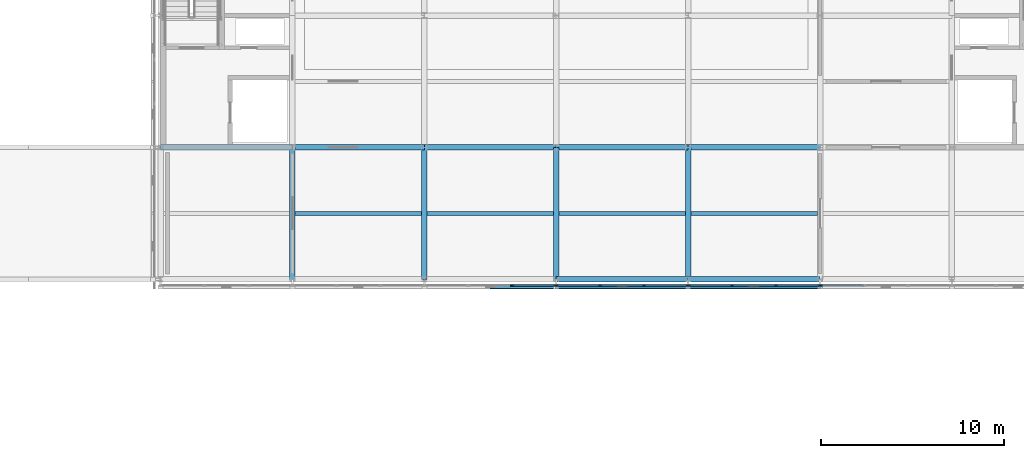
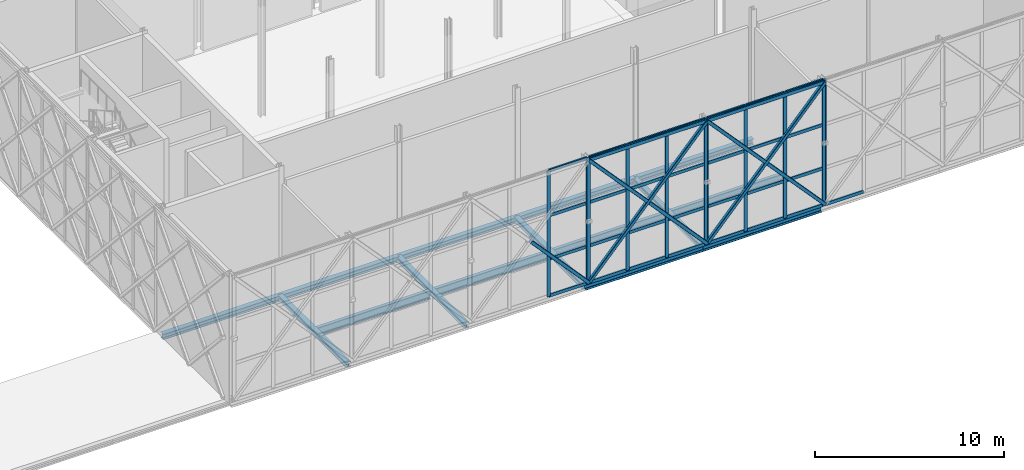
# One storey, part 44 of 76: 49 members, 15 beams, 4 elements without a shape of their own.
"""IFC4 building model written with IfcOpenShell, lengths in metres."""

import ifcopenshell
import ifcopenshell.guid

model = None  # the IFC model being written
_history = None  # IfcOwnerHistory: only IFC2X3 demands one
_inside = {}  # id of a spatial element -> (the spatial element, [elements in it])
_under = {}  # id of a project, library or spatial element -> (it, [spatial elements below it])
_declared = {}  # id of a project -> (the project, [libraries it declares])
_typed = {}  # id of a type object -> (the type object, [elements of that type])
_made_of = {}  # id of a material, layer set ... -> (it, [elements and type objects made of it])


def new_model(schema):
    """Start an empty IFC model of exactly this schema.

    Asked for "IFC4X3", IfcOpenShell would pick the latest addendum, in which some entities
    have other attributes; the version numbers below select the first issue.
    IFC2X3 requires an IfcOwnerHistory on every rooted entity: one is made here for all.
    """
    global model, _history
    if schema == "IFC4X3":
        model = ifcopenshell.file(schema_version=(4, 3, 0, 0))
    else:
        model = ifcopenshell.file(schema=schema)
    _inside.clear()
    _under.clear()
    _declared.clear()
    _typed.clear()
    _made_of.clear()
    _history = None
    if model.schema == "IFC2X3":
        org = make("IfcOrganization", Name="unknown")
        user = make(
            "IfcPersonAndOrganization",
            ThePerson=make("IfcPerson", FamilyName="unknown"),
            TheOrganization=org,
        )
        app = make(
            "IfcApplication",
            ApplicationDeveloper=org,
            Version="unknown",
            ApplicationFullName="unknown",
            ApplicationIdentifier="unknown",
        )
        _history = make(
            "IfcOwnerHistory",
            OwningUser=user,
            OwningApplication=app,
            ChangeAction="ADDED",
            CreationDate=0,
        )
    return model


def make(cls, **values):
    """One entity of the class cls with the attributes given. An attribute that is None is left unset."""
    return model.create_entity(
        cls, **{name: value for name, value in values.items() if value is not None}
    )


def rooted(cls, **values):
    """An entity with a GlobalId (a new one), such as an element, a storey or a relation."""
    return make(cls, GlobalId=ifcopenshell.guid.new(), OwnerHistory=_history, **values)


def si_unit(unit_type, name, prefix=None):
    """IfcSIUnit, for example si_unit("LENGTHUNIT", "METRE", prefix="MILLI")."""
    return make("IfcSIUnit", UnitType=unit_type, Prefix=prefix, Name=name)


def assignment(units):
    """IfcUnitAssignment: the units of a project."""
    return None if units is None else make("IfcUnitAssignment", Units=units)


def point(xyz):
    """IfcCartesianPoint."""
    return None if xyz is None else make("IfcCartesianPoint", Coordinates=xyz)


def direction(xyz):
    """IfcDirection."""
    return None if xyz is None else make("IfcDirection", DirectionRatios=xyz)


def frame(location, z_axis=None, x_axis=None):
    """IfcAxis2Placement3D, a coordinate frame: its origin and axes. An axis left out is left unset."""
    return make(
        "IfcAxis2Placement3D",
        Location=point(location),
        Axis=direction(z_axis),
        RefDirection=direction(x_axis),
    )


def frame_2d(location, x_axis=None):
    """IfcAxis2Placement2D, a coordinate frame in the plane: its origin and x axis."""
    return make(
        "IfcAxis2Placement2D", Location=point(location), RefDirection=direction(x_axis)
    )


def origin():
    """The frame at (0, 0, 0) with its axes left unset."""
    return frame((0.0, 0.0, 0.0))


def origin_2d():
    """The frame at (0, 0) in the plane with its x axis left unset."""
    return frame_2d((0.0, 0.0))


def place(relative_to, where):
    """IfcLocalPlacement: puts the frame where relative to a parent placement (None: the world)."""
    return make(
        "IfcLocalPlacement", PlacementRelTo=relative_to, RelativePlacement=where
    )


def context(
    kind, dimensions, precision=None, world=None, true_north=None, identifier=None
):
    """IfcGeometricRepresentationContext, for example the 3D "Model" context."""
    return make(
        "IfcGeometricRepresentationContext",
        ContextIdentifier=identifier,
        ContextType=kind,
        CoordinateSpaceDimension=dimensions,
        Precision=precision,
        WorldCoordinateSystem=world,
        TrueNorth=true_north,
    )


def subcontext(parent, identifier, kind, view, scale=None):
    """IfcGeometricRepresentationSubContext, for example "Body" below "Model"."""
    return make(
        "IfcGeometricRepresentationSubContext",
        ContextIdentifier=identifier,
        ContextType=kind,
        ParentContext=parent,
        TargetScale=scale,
        TargetView=view,
    )


def project(units=None, contexts=None):
    """IfcProject with its units and contexts."""
    return rooted(
        "IfcProject",
        Name="project",
        RepresentationContexts=contexts,
        UnitsInContext=assignment(units),
    )


def spatial(cls, under=None, at=None, **own):
    """A site, building, storey or space (cls), placed at a placement, below another one or the project."""
    s = rooted(cls, ObjectPlacement=at, **own)
    if under is not None:
        _under.setdefault(under.id(), (under, []))[1].append(s)
    return s


def profile(cls, at=None, kind="AREA", **sizes):
    """A parametric profile (cls). Its sizes go by their IFC names, for example OverallWidth=200.0."""
    return make(cls, ProfileType=kind, Position=at, **sizes)


def rectangle(**sizes):
    """IfcRectangleProfileDef."""
    return profile("IfcRectangleProfileDef", **sizes)


def hollow_rectangle(**sizes):
    """IfcRectangleHollowProfileDef."""
    return profile("IfcRectangleHollowProfileDef", **sizes)


def i_section(**sizes):
    """IfcIShapeProfileDef."""
    return profile("IfcIShapeProfileDef", **sizes)


def extrude(swept, where, along, depth):
    """IfcExtrudedAreaSolid: the profile swept, set in the frame where, extruded along a direction by depth."""
    return make(
        "IfcExtrudedAreaSolid",
        SweptArea=swept,
        Position=where,
        ExtrudedDirection=direction(along),
        Depth=depth,
    )


def shape(context_of_items, identifier, shape_type, items):
    """IfcShapeRepresentation: the items that make up one representation, for example the "Body"."""
    return make(
        "IfcShapeRepresentation",
        ContextOfItems=context_of_items,
        RepresentationIdentifier=identifier,
        RepresentationType=shape_type,
        Items=items,
    )


def material(Name=None, Category=None):
    """IfcMaterial."""
    return make("IfcMaterial", Name=Name, Category=Category)


def material_profile(
    of_material, cross_section, Name=None, Category=None, Priority=None
):
    """IfcMaterialProfile: a cross section and its material."""
    return make(
        "IfcMaterialProfile",
        Name=Name,
        Material=of_material,
        Profile=cross_section,
        Priority=Priority,
        Category=Category,
    )


def profile_set(profiles, Name=None, composite=None):
    """IfcMaterialProfileSet."""
    return make(
        "IfcMaterialProfileSet",
        Name=Name,
        MaterialProfiles=profiles,
        CompositeProfile=composite,
    )


def made_of(thing, what):
    """Note that an element or type object is made of a material, layer set ...; save() writes the relation."""
    if what is not None:
        _made_of.setdefault(what.id(), (what, []))[1].append(thing)
    return thing


def type_object(cls, material=None, **own):
    """A type object (cls), such as IfcWallType, which elements share."""
    return made_of(rooted(cls, **own), material)


def element(
    cls,
    number,
    at=None,
    inside=None,
    cuts=None,
    type_object=None,
    material=None,
    context=None,
    identifier="Body",
    shape_type=None,
    held_by="IfcProductDefinitionShape",
    body=None,
    shapes=None,
    **own,
):
    """One element of the class cls, such as IfcWall. Its Tag is "e" and its number.

    at: its placement. inside: the storey or other place that contains it. cuts: it is an
    opening in that element (IfcRelVoidsElement). A single representation is given by context,
    identifier, shape_type and body (its items); several are given by shapes. held_by: the class
    of the entity that holds the representations. save() writes the other relations.
    """
    e = rooted(cls, Tag="e%d" % number, ObjectPlacement=at, **own)
    if body is not None:
        shapes = [shape(context, identifier, shape_type, body)]
    if shapes is not None:
        e.Representation = make(held_by, Representations=shapes)
    if inside is not None:
        _inside.setdefault(inside.id(), (inside, []))[1].append(e)
    if cuts is not None:
        rooted(
            "IfcRelVoidsElement", RelatingBuildingElement=cuts, RelatedOpeningElement=e
        )
    if type_object is not None:
        _typed.setdefault(type_object.id(), (type_object, []))[1].append(e)
    return made_of(e, material)


def aggregate(whole, parts):
    """IfcRelAggregates: a whole, such as a stair, and the parts it consists of."""
    return rooted("IfcRelAggregates", RelatingObject=whole, RelatedObjects=parts)


def save(model, path):
    """Write the relations noted so far, then the file.

    IfcRelAggregates (storeys below a building ...), IfcRelContainedInSpatialStructure (elements
    in a storey), IfcRelDefinesByType, IfcRelAssociatesMaterial and IfcRelDeclares: one each for
    every whole, place, type object, material and project.
    """
    for whole, parts in _under.values():
        aggregate(whole, parts)
    for where, things in _inside.values():
        rooted(
            "IfcRelContainedInSpatialStructure",
            RelatedElements=things,
            RelatingStructure=where,
        )
    for kind, things in _typed.values():
        rooted("IfcRelDefinesByType", RelatedObjects=things, RelatingType=kind)
    for what, things in _made_of.values():
        rooted("IfcRelAssociatesMaterial", RelatedObjects=things, RelatingMaterial=what)
    for by, libraries in _declared.values():
        rooted("IfcRelDeclares", RelatingContext=by, RelatedDefinitions=libraries)
    model.write(path)


model = new_model("IFC4")

# Units and contexts
model_context = context("Model", 3, precision=1e-05, world=origin(), true_north=direction((0.0, 1.0)))
body_context = subcontext(model_context, "Body", "Model", "MODEL_VIEW")
ifc_project = project(units=[si_unit("LENGTHUNIT", "METRE"), si_unit("AREAUNIT", "SQUARE_METRE"), si_unit("VOLUMEUNIT", "CUBIC_METRE"), si_unit("PLANEANGLEUNIT", "RADIAN"), si_unit("MASSUNIT", "GRAM", prefix="KILO")], contexts=[model_context])

# Site, building, storey
site_placement = place(None, origin())
site = spatial("IfcSite", under=ifc_project, at=site_placement, CompositionType="ELEMENT")
building_placement = place(site_placement, origin())
building = spatial("IfcBuilding", under=site, at=building_placement, Name="Zlatovets Crest Museum", CompositionType="ELEMENT")
storey_placement = place(building_placement, frame((0.0, 0.0, 17.10009765625)))
storey = spatial("IfcBuildingStorey", under=building, at=storey_placement, Name="L04", CompositionType="ELEMENT", Elevation=17.10009765625)

# Beams
ifc_material_1 = material(Name="Structural steel S355J2", Category="steel")
ifc_material_profile_1 = material_profile(ifc_material_1, i_section(OverallWidth=0.300048828125, OverallDepth=0.35009765625, WebThickness=0.010009765625, FlangeThickness=0.017578125, FilletRadius=0.027099609375, at=origin_2d()), Name="HEA 360")
ifc_profile_set_1 = profile_set([ifc_material_profile_1], Name="Structural steel S355J2")
beam_type_1 = type_object("IfcBeamType", Name="Beam_B-03", PredefinedType="BEAM", material=ifc_profile_set_1)
beam_1_placement = place(storey_placement, frame((79.199951171875, 86.39990234375, -0.4150390625), z_axis=(1.0, 0.0, 0.0), x_axis=(0.0, 1.0, 0.0)))
element("IfcBeam", 1, at=beam_1_placement, inside=storey, type_object=beam_type_1, Name="V1 L04 Primary Girder B-03", PredefinedType="BEAM", context=body_context, shape_type="SweptSolid", body=[
    extrude(i_section(OverallWidth=0.300048828125, OverallDepth=0.35009765625, WebThickness=0.010009765625, FlangeThickness=0.017578125, FilletRadius=0.027099609375, at=origin_2d()), origin(), (0.0, 0.0, 1.0), 7.199951171875),
])
beam_2_placement = place(storey_placement, frame((86.39990234375, 86.39990234375, -0.4150390625), z_axis=(1.0, 0.0, 0.0), x_axis=(0.0, 1.0, 0.0)))
element("IfcBeam", 2, at=beam_2_placement, inside=storey, type_object=beam_type_1, Name="V1 L04 Primary Girder B-03", PredefinedType="BEAM", context=body_context, shape_type="SweptSolid", body=[
    extrude(i_section(OverallWidth=0.300048828125, OverallDepth=0.35009765625, WebThickness=0.010009765625, FlangeThickness=0.017578125, FilletRadius=0.027099609375, at=origin_2d()), origin(), (0.0, 0.0, 1.0), 7.2001953125),
])
for number, where, z_axis, x_axis, name in (
    (3, (57.60009765625, 93.60009765625, -0.4150390625), (1.0, 0.0, 0.0), (0.0, 1.0, 0.0), "V1 L04 Primary Girder B-03"),
    (4, (64.800048828125, 93.60009765625, -0.4150390625), (1.0, 0.0, 0.0), (0.0, 1.0, 0.0), "V1 L04 Primary Girder B-03"),
    (5, (72.0, 93.60009765625, -0.4150390625), (1.0, 0.0, 0.0), (0.0, 1.0, 0.0), "V1 L04 Primary Girder B-03"),
    (6, (79.199951171875, 93.60009765625, -0.4150390625), (1.0, 0.0, 0.0), (0.0, 1.0, 0.0), "V1 L04 Primary Girder B-03"),
):
    element("IfcBeam", number, at=place(storey_placement, frame(where, z_axis=z_axis, x_axis=x_axis)), inside=storey, type_object=beam_type_1, Name=name, PredefinedType="BEAM", context=body_context, shape_type="SweptSolid", body=[
        extrude(i_section(OverallWidth=0.300048828125, OverallDepth=0.35009765625, WebThickness=0.010009765625, FlangeThickness=0.017578125, FilletRadius=0.027099609375, at=origin_2d()), origin(), (0.0, 0.0, 1.0), 7.199951171875),
    ])
beam_3_placement = place(storey_placement, frame((86.39990234375, 93.60009765625, -0.4150390625), z_axis=(1.0, 0.0, 0.0), x_axis=(0.0, 1.0, 0.0)))
element("IfcBeam", 7, at=beam_3_placement, inside=storey, type_object=beam_type_1, Name="V1 L04 Primary Girder B-03", PredefinedType="BEAM", context=body_context, shape_type="SweptSolid", body=[
    extrude(i_section(OverallWidth=0.300048828125, OverallDepth=0.35009765625, WebThickness=0.010009765625, FlangeThickness=0.017578125, FilletRadius=0.027099609375, at=origin_2d()), origin(), (0.0, 0.0, 1.0), 7.2001953125),
])
ifc_material_profile_2 = material_profile(ifc_material_1, i_section(OverallWidth=0.300048828125, OverallDepth=0.31005859375, WebThickness=0.009033203125, FlangeThickness=0.015380859375, FilletRadius=0.027099609375, at=origin_2d()), Name="HEA 320")
ifc_profile_set_2 = profile_set([ifc_material_profile_2], Name="Structural steel S355J2")
beam_type_2 = type_object("IfcBeamType", Name="Beam_B-04", PredefinedType="BEAM", material=ifc_profile_set_2)
for number, where, z_axis, x_axis, name in (
    (8, (64.800048828125, 86.39990234375, -0.39501953125), (0.0, 1.0, 0.0), (-1.0, 0.0, 0.0), "V1 L04 Grid Beam B-04"),
    (9, (72.0, 86.39990234375, -0.39501953125), (0.0, 1.0, 0.0), (-1.0, 0.0, 0.0), "V1 L04 Grid Beam B-04"),
    (10, (79.199951171875, 86.39990234375, -0.39501953125), (0.0, 1.0, 0.0), (-1.0, 0.0, 0.0), "V1 L04 Grid Beam B-04"),
    (11, (86.39990234375, 86.39990234375, -0.39501953125), (0.0, 1.0, 0.0), (-1.0, 0.0, 0.0), "V1 L04 Grid Beam B-04"),
):
    element("IfcBeam", number, at=place(storey_placement, frame(where, z_axis=z_axis, x_axis=x_axis)), inside=storey, type_object=beam_type_2, Name=name, PredefinedType="BEAM", context=body_context, shape_type="SweptSolid", body=[
        extrude(i_section(OverallWidth=0.300048828125, OverallDepth=0.31005859375, WebThickness=0.009033203125, FlangeThickness=0.015380859375, FilletRadius=0.027099609375, at=origin_2d()), origin(), (0.0, 0.0, 1.0), 7.2001953125),
    ])
ifc_material_profile_3 = material_profile(ifc_material_1, i_section(OverallWidth=0.2099609375, OverallDepth=0.550048828125, WebThickness=0.010986328125, FlangeThickness=0.01708984375, FilletRadius=0.02392578125, at=origin_2d()), Name="IPE 550")
ifc_profile_set_3 = profile_set([ifc_material_profile_3], Name="Structural steel S355J2")
beam_type_3 = type_object("IfcBeamType", Name="Beam_J-07", PredefinedType="JOIST", material=ifc_profile_set_3)
for number, where, z_axis, x_axis, name in (
    (12, (64.949951171875, 90.0, -0.51513671875), (1.0, 0.0, 0.0), (0.0, 1.0, 0.0), "V1 L04 Composite Joist J-07"),
    (13, (72.14990234375, 90.0, -0.51513671875), (1.0, 0.0, 0.0), (0.0, 1.0, 0.0), "V1 L04 Composite Joist J-07"),
):
    element("IfcBeam", number, at=place(storey_placement, frame(where, z_axis=z_axis, x_axis=x_axis)), inside=storey, type_object=beam_type_3, Name=name, PredefinedType="JOIST", context=body_context, shape_type="SweptSolid", body=[
        extrude(i_section(OverallWidth=0.2099609375, OverallDepth=0.550048828125, WebThickness=0.010986328125, FlangeThickness=0.01708984375, FilletRadius=0.02392578125, at=origin_2d()), origin(), (0.0, 0.0, 1.0), 6.900146484375),
    ])
for number, where, z_axis, x_axis, name in (
    (14, (79.35009765625, 90.0, -0.51513671875), (1.0, 0.0, 0.0), (0.0, 1.0, 0.0), "V1 L04 Composite Joist J-07"),
    (15, (86.550048828125, 90.0, -0.51513671875), (1.0, 0.0, 0.0), (0.0, 1.0, 0.0), "V1 L04 Composite Joist J-07"),
):
    element("IfcBeam", number, at=place(storey_placement, frame(where, z_axis=z_axis, x_axis=x_axis)), inside=storey, type_object=beam_type_3, Name=name, PredefinedType="JOIST", context=body_context, shape_type="SweptSolid", body=[
        extrude(i_section(OverallWidth=0.2099609375, OverallDepth=0.550048828125, WebThickness=0.010986328125, FlangeThickness=0.01708984375, FilletRadius=0.02392578125, at=origin_2d()), origin(), (0.0, 0.0, 1.0), 6.89990234375),
    ])

# Curtain wall, members
ifc_material_2 = material(Name="Bronze-anodised aluminium and low-E triple glass", Category="aluminium")
curtain_wall_type_1 = type_object("IfcCurtainWallType", Name="CW_CW-V1-L04-M2", PredefinedType="NOTDEFINED", material=ifc_material_2)
curtain_wall_1_placement = place(storey_placement, origin())
curtain_wall_1 = element("IfcCurtainWall", 16, at=curtain_wall_1_placement, inside=storey, type_object=curtain_wall_type_1, Name="V1 L04 Secession Foyer Clear Curtain Wall", PredefinedType="NOTDEFINED")
ifc_material_3 = material(Name="Bronze-anodised aluminium EN AW-6060", Category="aluminium")
ifc_material_profile_4 = material_profile(ifc_material_3, rectangle(XDim=0.090087890625, YDim=0.199951171875, at=origin_2d()), Name="ALU 90x200")
ifc_profile_set_4 = profile_set([ifc_material_profile_4], Name="Bronze-anodised aluminium EN AW-6060")
member_type_1 = type_object("IfcMemberType", Name="CWMull_M2", PredefinedType="MULLION", material=ifc_profile_set_4)
member_1_placement = place(storey_placement, frame((76.800048828125, 86.06005859375, 0.0), z_axis=(0.0, 0.0, 1.0), x_axis=(0.0, 1.0, 0.0)))
member_1 = element("IfcMember", 17, at=member_1_placement, type_object=member_type_1, Name="CW-V1-L04-M2 mullion 3", PredefinedType="MULLION", context=body_context, shape_type="SweptSolid", body=[
    extrude(rectangle(XDim=0.090087890625, YDim=0.199951171875, at=origin_2d()), origin(), (0.0, 0.0, 1.0), 8.099853515625),
])
member_2_placement = place(storey_placement, frame((79.169921875, 86.06005859375, 0.0), z_axis=(0.0, 0.0, 1.0), x_axis=(0.0, 1.0, 0.0)))
member_2 = element("IfcMember", 18, at=member_2_placement, type_object=member_type_1, Name="CW-V1-L04-M2 mullion 4", PredefinedType="MULLION", context=body_context, shape_type="SweptSolid", body=[
    extrude(rectangle(XDim=0.090087890625, YDim=0.199951171875, at=origin_2d()), origin(), (0.0, 0.0, 1.0), 8.099853515625),
])

curtain_wall_type_2 = type_object("IfcCurtainWallType", Name="CW_CW-V1-L04-M3", PredefinedType="NOTDEFINED", material=ifc_material_2)
curtain_wall_2_placement = place(storey_placement, origin())
curtain_wall_2 = element("IfcCurtainWall", 19, at=curtain_wall_2_placement, inside=storey, type_object=curtain_wall_type_2, Name="V1 L04 Secession Foyer Clear Curtain Wall", PredefinedType="NOTDEFINED")
member_3_placement = place(storey_placement, frame((79.22998046875, 86.06005859375, 0.0), z_axis=(0.0, 0.0, 1.0), x_axis=(0.0, 1.0, 0.0)))
member_3 = element("IfcMember", 20, at=member_3_placement, type_object=member_type_1, Name="CW-V1-L04-M3 mullion 1", PredefinedType="MULLION", context=body_context, shape_type="SweptSolid", body=[
    extrude(rectangle(XDim=0.090087890625, YDim=0.199951171875, at=origin_2d()), origin(), (0.0, 0.0, 1.0), 8.099853515625),
])
member_4_placement = place(storey_placement, frame((81.60009765625, 86.06005859375, 0.0), z_axis=(0.0, 0.0, 1.0), x_axis=(0.0, 1.0, 0.0)))
member_4 = element("IfcMember", 21, at=member_4_placement, type_object=member_type_1, Name="CW-V1-L04-M3 mullion 2", PredefinedType="MULLION", context=body_context, shape_type="SweptSolid", body=[
    extrude(rectangle(XDim=0.090087890625, YDim=0.199951171875, at=origin_2d()), origin(), (0.0, 0.0, 1.0), 8.099853515625),
])
member_5_placement = place(storey_placement, frame((84.0, 86.06005859375, 0.0), z_axis=(0.0, 0.0, 1.0), x_axis=(0.0, 1.0, 0.0)))
member_5 = element("IfcMember", 22, at=member_5_placement, type_object=member_type_1, Name="CW-V1-L04-M3 mullion 3", PredefinedType="MULLION", context=body_context, shape_type="SweptSolid", body=[
    extrude(rectangle(XDim=0.090087890625, YDim=0.199951171875, at=origin_2d()), origin(), (0.0, 0.0, 1.0), 8.099853515625),
])
member_6_placement = place(storey_placement, frame((86.3701171875, 86.06005859375, 0.0), z_axis=(0.0, 0.0, 1.0), x_axis=(0.0, 1.0, 0.0)))
member_6 = element("IfcMember", 23, at=member_6_placement, type_object=member_type_1, Name="CW-V1-L04-M3 mullion 4", PredefinedType="MULLION", context=body_context, shape_type="SweptSolid", body=[
    extrude(rectangle(XDim=0.090087890625, YDim=0.199951171875, at=origin_2d()), origin(), (0.0, 0.0, 1.0), 8.099853515625),
])

curtain_wall_type_3 = type_object("IfcCurtainWallType", Name="CW_CW-V1-L04-M0", PredefinedType="NOTDEFINED", material=ifc_material_2)
curtain_wall_3_placement = place(storey_placement, origin())
curtain_wall_3 = element("IfcCurtainWall", 24, at=curtain_wall_3_placement, inside=storey, type_object=curtain_wall_type_3, Name="V1 L04 Secession Foyer Clear Curtain Wall", PredefinedType="NOTDEFINED")
member_7_placement = place(storey_placement, frame((86.429931640625, 86.06005859375, 0.0), z_axis=(0.0, 0.0, 1.0), x_axis=(0.0, 1.0, 0.0)))
member_7 = element("IfcMember", 25, at=member_7_placement, type_object=member_type_1, Name="CW-V1-L04-M0 mullion 1", PredefinedType="MULLION", context=body_context, shape_type="SweptSolid", body=[
    extrude(rectangle(XDim=0.090087890625, YDim=0.199951171875, at=origin_2d()), origin(), (0.0, 0.0, 1.0), 8.099853515625),
])
member_8_placement = place(storey_placement, frame((88.800048828125, 86.06005859375, 0.0), z_axis=(0.0, 0.0, 1.0), x_axis=(0.0, 1.0, 0.0)))
member_8 = element("IfcMember", 26, at=member_8_placement, type_object=member_type_1, Name="CW-V1-L04-M0 mullion 2", PredefinedType="MULLION", context=body_context, shape_type="SweptSolid", body=[
    extrude(rectangle(XDim=0.090087890625, YDim=0.199951171875, at=origin_2d()), origin(), (0.0, 0.0, 1.0), 8.099853515625),
])
member_9_placement = place(storey_placement, frame((91.199951171875, 86.06005859375, 0.0), z_axis=(0.0, 0.0, 1.0), x_axis=(0.0, 1.0, 0.0)))
member_9 = element("IfcMember", 27, at=member_9_placement, type_object=member_type_1, Name="CW-V1-L04-M0 mullion 3", PredefinedType="MULLION", context=body_context, shape_type="SweptSolid", body=[
    extrude(rectangle(XDim=0.090087890625, YDim=0.199951171875, at=origin_2d()), origin(), (0.0, 0.0, 1.0), 8.099853515625),
])
member_10_placement = place(storey_placement, frame((93.570068359375, 86.06005859375, 0.0), z_axis=(0.0, 0.0, 1.0), x_axis=(0.0, 1.0, 0.0)))
member_10 = element("IfcMember", 28, at=member_10_placement, type_object=member_type_1, Name="CW-V1-L04-M0 mullion 4", PredefinedType="MULLION", context=body_context, shape_type="SweptSolid", body=[
    extrude(rectangle(XDim=0.090087890625, YDim=0.199951171875, at=origin_2d()), origin(), (0.0, 0.0, 1.0), 8.099853515625),
])

# Curtain wall, member
curtain_wall_type_4 = type_object("IfcCurtainWallType", Name="CW_CW-V1-L04-M1", PredefinedType="NOTDEFINED", material=ifc_material_2)
curtain_wall_4_placement = place(storey_placement, origin())
curtain_wall_4 = element("IfcCurtainWall", 29, at=curtain_wall_4_placement, inside=storey, type_object=curtain_wall_type_4, Name="V1 L04 Secession Foyer Clear Curtain Wall", PredefinedType="NOTDEFINED")
member_11_placement = place(storey_placement, frame((93.6298828125, 86.06005859375, 0.0), z_axis=(0.0, 0.0, 1.0), x_axis=(0.0, 1.0, 0.0)))
member_11 = element("IfcMember", 30, at=member_11_placement, type_object=member_type_1, Name="CW-V1-L04-M1 mullion 1", PredefinedType="MULLION", context=body_context, shape_type="SweptSolid", body=[
    extrude(rectangle(XDim=0.090087890625, YDim=0.199951171875, at=origin_2d()), origin(), (0.0, 0.0, 1.0), 8.099853515625),
])

# Member
ifc_material_profile_5 = material_profile(ifc_material_3, rectangle(XDim=0.090087890625, YDim=0.199951171875, at=origin_2d()), Name="ALU 90x200")
ifc_profile_set_5 = profile_set([ifc_material_profile_5], Name="Bronze-anodised aluminium EN AW-6060")
member_type_2 = type_object("IfcMemberType", Name="CWTrans_T2", PredefinedType="USERDEFINED", material=ifc_profile_set_5)
member_12_placement = place(storey_placement, frame((76.830078125, 86.06005859375, 0.02978515625), z_axis=(1.0, 0.0, 0.0), x_axis=(0.0, 1.0, 0.0)))
member_12 = element("IfcMember", 31, at=member_12_placement, type_object=member_type_2, Name="CW-V1-L04-M2 transom 3.1", ObjectType="TRANSOM", PredefinedType="USERDEFINED", context=body_context, shape_type="SweptSolid", body=[
    extrude(rectangle(XDim=0.090087890625, YDim=0.199951171875, at=origin_2d()), origin(), (0.0, 0.0, 1.0), 2.309814453125),
])

member_13_placement = place(storey_placement, frame((76.830078125, 86.06005859375, 2.39990234375), z_axis=(1.0, 0.0, 0.0), x_axis=(0.0, 1.0, 0.0)))
member_13 = element("IfcMember", 32, at=member_13_placement, type_object=member_type_2, Name="CW-V1-L04-M2 transom 3.2", ObjectType="TRANSOM", PredefinedType="USERDEFINED", context=body_context, shape_type="SweptSolid", body=[
    extrude(rectangle(XDim=0.090087890625, YDim=0.199951171875, at=origin_2d()), origin(), (0.0, 0.0, 1.0), 2.309814453125),
])

member_14_placement = place(storey_placement, frame((76.830078125, 86.06005859375, 5.199951171875), z_axis=(1.0, 0.0, 0.0), x_axis=(0.0, 1.0, 0.0)))
member_14 = element("IfcMember", 33, at=member_14_placement, type_object=member_type_2, Name="CW-V1-L04-M2 transom 3.3", ObjectType="TRANSOM", PredefinedType="USERDEFINED", context=body_context, shape_type="SweptSolid", body=[
    extrude(rectangle(XDim=0.090087890625, YDim=0.199951171875, at=origin_2d()), origin(), (0.0, 0.0, 1.0), 2.309814453125),
])

member_15_placement = place(storey_placement, frame((76.830078125, 86.06005859375, 8.06982421875), z_axis=(1.0, 0.0, 0.0), x_axis=(0.0, 1.0, 0.0)))
member_15 = element("IfcMember", 34, at=member_15_placement, type_object=member_type_2, Name="CW-V1-L04-M2 transom 3.4", ObjectType="TRANSOM", PredefinedType="USERDEFINED", context=body_context, shape_type="SweptSolid", body=[
    extrude(rectangle(XDim=0.090087890625, YDim=0.199951171875, at=origin_2d()), origin(), (0.0, 0.0, 1.0), 2.309814453125),
])

aggregate(curtain_wall_1, [member_1, member_2, member_12, member_13, member_14, member_15])

member_16_placement = place(storey_placement, frame((79.260009765625, 86.06005859375, 0.02978515625), z_axis=(1.0, 0.0, 0.0), x_axis=(0.0, 1.0, 0.0)))
member_16 = element("IfcMember", 35, at=member_16_placement, type_object=member_type_2, Name="CW-V1-L04-M3 transom 1.1", ObjectType="TRANSOM", PredefinedType="USERDEFINED", context=body_context, shape_type="SweptSolid", body=[
    extrude(rectangle(XDim=0.090087890625, YDim=0.199951171875, at=origin_2d()), origin(), (0.0, 0.0, 1.0), 2.31005859375),
])

member_17_placement = place(storey_placement, frame((79.260009765625, 86.06005859375, 2.39990234375), z_axis=(1.0, 0.0, 0.0), x_axis=(0.0, 1.0, 0.0)))
member_17 = element("IfcMember", 36, at=member_17_placement, type_object=member_type_2, Name="CW-V1-L04-M3 transom 1.2", ObjectType="TRANSOM", PredefinedType="USERDEFINED", context=body_context, shape_type="SweptSolid", body=[
    extrude(rectangle(XDim=0.090087890625, YDim=0.199951171875, at=origin_2d()), origin(), (0.0, 0.0, 1.0), 2.31005859375),
])

member_18_placement = place(storey_placement, frame((79.260009765625, 86.06005859375, 5.199951171875), z_axis=(1.0, 0.0, 0.0), x_axis=(0.0, 1.0, 0.0)))
member_18 = element("IfcMember", 37, at=member_18_placement, type_object=member_type_2, Name="CW-V1-L04-M3 transom 1.3", ObjectType="TRANSOM", PredefinedType="USERDEFINED", context=body_context, shape_type="SweptSolid", body=[
    extrude(rectangle(XDim=0.090087890625, YDim=0.199951171875, at=origin_2d()), origin(), (0.0, 0.0, 1.0), 2.31005859375),
])

member_19_placement = place(storey_placement, frame((79.260009765625, 86.06005859375, 8.06982421875), z_axis=(1.0, 0.0, 0.0), x_axis=(0.0, 1.0, 0.0)))
member_19 = element("IfcMember", 38, at=member_19_placement, type_object=member_type_2, Name="CW-V1-L04-M3 transom 1.4", ObjectType="TRANSOM", PredefinedType="USERDEFINED", context=body_context, shape_type="SweptSolid", body=[
    extrude(rectangle(XDim=0.090087890625, YDim=0.199951171875, at=origin_2d()), origin(), (0.0, 0.0, 1.0), 2.31005859375),
])

member_20_placement = place(storey_placement, frame((81.6298828125, 86.06005859375, 0.02978515625), z_axis=(1.0, 0.0, 0.0), x_axis=(0.0, 1.0, 0.0)))
member_20 = element("IfcMember", 39, at=member_20_placement, type_object=member_type_2, Name="CW-V1-L04-M3 transom 2.1", ObjectType="TRANSOM", PredefinedType="USERDEFINED", context=body_context, shape_type="SweptSolid", body=[
    extrude(rectangle(XDim=0.090087890625, YDim=0.199951171875, at=origin_2d()), origin(), (0.0, 0.0, 1.0), 2.340087890625),
])

member_21_placement = place(storey_placement, frame((81.6298828125, 86.06005859375, 2.39990234375), z_axis=(1.0, 0.0, 0.0), x_axis=(0.0, 1.0, 0.0)))
member_21 = element("IfcMember", 40, at=member_21_placement, type_object=member_type_2, Name="CW-V1-L04-M3 transom 2.2", ObjectType="TRANSOM", PredefinedType="USERDEFINED", context=body_context, shape_type="SweptSolid", body=[
    extrude(rectangle(XDim=0.090087890625, YDim=0.199951171875, at=origin_2d()), origin(), (0.0, 0.0, 1.0), 2.340087890625),
])

member_22_placement = place(storey_placement, frame((81.6298828125, 86.06005859375, 5.199951171875), z_axis=(1.0, 0.0, 0.0), x_axis=(0.0, 1.0, 0.0)))
member_22 = element("IfcMember", 41, at=member_22_placement, type_object=member_type_2, Name="CW-V1-L04-M3 transom 2.3", ObjectType="TRANSOM", PredefinedType="USERDEFINED", context=body_context, shape_type="SweptSolid", body=[
    extrude(rectangle(XDim=0.090087890625, YDim=0.199951171875, at=origin_2d()), origin(), (0.0, 0.0, 1.0), 2.340087890625),
])

member_23_placement = place(storey_placement, frame((81.6298828125, 86.06005859375, 8.06982421875), z_axis=(1.0, 0.0, 0.0), x_axis=(0.0, 1.0, 0.0)))
member_23 = element("IfcMember", 42, at=member_23_placement, type_object=member_type_2, Name="CW-V1-L04-M3 transom 2.4", ObjectType="TRANSOM", PredefinedType="USERDEFINED", context=body_context, shape_type="SweptSolid", body=[
    extrude(rectangle(XDim=0.090087890625, YDim=0.199951171875, at=origin_2d()), origin(), (0.0, 0.0, 1.0), 2.340087890625),
])

member_24_placement = place(storey_placement, frame((84.030029296875, 86.06005859375, 0.02978515625), z_axis=(1.0, 0.0, 0.0), x_axis=(0.0, 1.0, 0.0)))
member_24 = element("IfcMember", 43, at=member_24_placement, type_object=member_type_2, Name="CW-V1-L04-M3 transom 3.1", ObjectType="TRANSOM", PredefinedType="USERDEFINED", context=body_context, shape_type="SweptSolid", body=[
    extrude(rectangle(XDim=0.090087890625, YDim=0.199951171875, at=origin_2d()), origin(), (0.0, 0.0, 1.0), 2.31005859375),
])

member_25_placement = place(storey_placement, frame((84.030029296875, 86.06005859375, 2.39990234375), z_axis=(1.0, 0.0, 0.0), x_axis=(0.0, 1.0, 0.0)))
member_25 = element("IfcMember", 44, at=member_25_placement, type_object=member_type_2, Name="CW-V1-L04-M3 transom 3.2", ObjectType="TRANSOM", PredefinedType="USERDEFINED", context=body_context, shape_type="SweptSolid", body=[
    extrude(rectangle(XDim=0.090087890625, YDim=0.199951171875, at=origin_2d()), origin(), (0.0, 0.0, 1.0), 2.31005859375),
])

member_26_placement = place(storey_placement, frame((84.030029296875, 86.06005859375, 5.199951171875), z_axis=(1.0, 0.0, 0.0), x_axis=(0.0, 1.0, 0.0)))
member_26 = element("IfcMember", 45, at=member_26_placement, type_object=member_type_2, Name="CW-V1-L04-M3 transom 3.3", ObjectType="TRANSOM", PredefinedType="USERDEFINED", context=body_context, shape_type="SweptSolid", body=[
    extrude(rectangle(XDim=0.090087890625, YDim=0.199951171875, at=origin_2d()), origin(), (0.0, 0.0, 1.0), 2.31005859375),
])

member_27_placement = place(storey_placement, frame((84.030029296875, 86.06005859375, 8.06982421875), z_axis=(1.0, 0.0, 0.0), x_axis=(0.0, 1.0, 0.0)))
member_27 = element("IfcMember", 46, at=member_27_placement, type_object=member_type_2, Name="CW-V1-L04-M3 transom 3.4", ObjectType="TRANSOM", PredefinedType="USERDEFINED", context=body_context, shape_type="SweptSolid", body=[
    extrude(rectangle(XDim=0.090087890625, YDim=0.199951171875, at=origin_2d()), origin(), (0.0, 0.0, 1.0), 2.31005859375),
])

aggregate(curtain_wall_2, [member_3, member_4, member_5, member_6, member_16, member_17, member_18, member_19, member_20, member_21, member_22, member_23, member_24, member_25, member_26, member_27])

member_28_placement = place(storey_placement, frame((86.4599609375, 86.06005859375, 0.02978515625), z_axis=(1.0, 0.0, 0.0), x_axis=(0.0, 1.0, 0.0)))
member_28 = element("IfcMember", 47, at=member_28_placement, type_object=member_type_2, Name="CW-V1-L04-M0 transom 1.1", ObjectType="TRANSOM", PredefinedType="USERDEFINED", context=body_context, shape_type="SweptSolid", body=[
    extrude(rectangle(XDim=0.090087890625, YDim=0.199951171875, at=origin_2d()), origin(), (0.0, 0.0, 1.0), 2.31005859375),
])

member_29_placement = place(storey_placement, frame((86.4599609375, 86.06005859375, 2.39990234375), z_axis=(1.0, 0.0, 0.0), x_axis=(0.0, 1.0, 0.0)))
member_29 = element("IfcMember", 48, at=member_29_placement, type_object=member_type_2, Name="CW-V1-L04-M0 transom 1.2", ObjectType="TRANSOM", PredefinedType="USERDEFINED", context=body_context, shape_type="SweptSolid", body=[
    extrude(rectangle(XDim=0.090087890625, YDim=0.199951171875, at=origin_2d()), origin(), (0.0, 0.0, 1.0), 2.31005859375),
])

member_30_placement = place(storey_placement, frame((86.4599609375, 86.06005859375, 5.199951171875), z_axis=(1.0, 0.0, 0.0), x_axis=(0.0, 1.0, 0.0)))
member_30 = element("IfcMember", 49, at=member_30_placement, type_object=member_type_2, Name="CW-V1-L04-M0 transom 1.3", ObjectType="TRANSOM", PredefinedType="USERDEFINED", context=body_context, shape_type="SweptSolid", body=[
    extrude(rectangle(XDim=0.090087890625, YDim=0.199951171875, at=origin_2d()), origin(), (0.0, 0.0, 1.0), 2.31005859375),
])

member_31_placement = place(storey_placement, frame((86.4599609375, 86.06005859375, 8.06982421875), z_axis=(1.0, 0.0, 0.0), x_axis=(0.0, 1.0, 0.0)))
member_31 = element("IfcMember", 50, at=member_31_placement, type_object=member_type_2, Name="CW-V1-L04-M0 transom 1.4", ObjectType="TRANSOM", PredefinedType="USERDEFINED", context=body_context, shape_type="SweptSolid", body=[
    extrude(rectangle(XDim=0.090087890625, YDim=0.199951171875, at=origin_2d()), origin(), (0.0, 0.0, 1.0), 2.31005859375),
])

member_32_placement = place(storey_placement, frame((88.830078125, 86.06005859375, 0.02978515625), z_axis=(1.0, 0.0, 0.0), x_axis=(0.0, 1.0, 0.0)))
member_32 = element("IfcMember", 51, at=member_32_placement, type_object=member_type_2, Name="CW-V1-L04-M0 transom 2.1", ObjectType="TRANSOM", PredefinedType="USERDEFINED", context=body_context, shape_type="SweptSolid", body=[
    extrude(rectangle(XDim=0.090087890625, YDim=0.199951171875, at=origin_2d()), origin(), (0.0, 0.0, 1.0), 2.33984375),
])

member_33_placement = place(storey_placement, frame((88.830078125, 86.06005859375, 2.39990234375), z_axis=(1.0, 0.0, 0.0), x_axis=(0.0, 1.0, 0.0)))
member_33 = element("IfcMember", 52, at=member_33_placement, type_object=member_type_2, Name="CW-V1-L04-M0 transom 2.2", ObjectType="TRANSOM", PredefinedType="USERDEFINED", context=body_context, shape_type="SweptSolid", body=[
    extrude(rectangle(XDim=0.090087890625, YDim=0.199951171875, at=origin_2d()), origin(), (0.0, 0.0, 1.0), 2.33984375),
])

member_34_placement = place(storey_placement, frame((88.830078125, 86.06005859375, 5.199951171875), z_axis=(1.0, 0.0, 0.0), x_axis=(0.0, 1.0, 0.0)))
member_34 = element("IfcMember", 53, at=member_34_placement, type_object=member_type_2, Name="CW-V1-L04-M0 transom 2.3", ObjectType="TRANSOM", PredefinedType="USERDEFINED", context=body_context, shape_type="SweptSolid", body=[
    extrude(rectangle(XDim=0.090087890625, YDim=0.199951171875, at=origin_2d()), origin(), (0.0, 0.0, 1.0), 2.33984375),
])

member_35_placement = place(storey_placement, frame((88.830078125, 86.06005859375, 8.06982421875), z_axis=(1.0, 0.0, 0.0), x_axis=(0.0, 1.0, 0.0)))
member_35 = element("IfcMember", 54, at=member_35_placement, type_object=member_type_2, Name="CW-V1-L04-M0 transom 2.4", ObjectType="TRANSOM", PredefinedType="USERDEFINED", context=body_context, shape_type="SweptSolid", body=[
    extrude(rectangle(XDim=0.090087890625, YDim=0.199951171875, at=origin_2d()), origin(), (0.0, 0.0, 1.0), 2.33984375),
])

member_36_placement = place(storey_placement, frame((91.22998046875, 86.06005859375, 0.02978515625), z_axis=(1.0, 0.0, 0.0), x_axis=(0.0, 1.0, 0.0)))
member_36 = element("IfcMember", 55, at=member_36_placement, type_object=member_type_2, Name="CW-V1-L04-M0 transom 3.1", ObjectType="TRANSOM", PredefinedType="USERDEFINED", context=body_context, shape_type="SweptSolid", body=[
    extrude(rectangle(XDim=0.090087890625, YDim=0.199951171875, at=origin_2d()), origin(), (0.0, 0.0, 1.0), 2.31005859375),
])

member_37_placement = place(storey_placement, frame((91.22998046875, 86.06005859375, 2.39990234375), z_axis=(1.0, 0.0, 0.0), x_axis=(0.0, 1.0, 0.0)))
member_37 = element("IfcMember", 56, at=member_37_placement, type_object=member_type_2, Name="CW-V1-L04-M0 transom 3.2", ObjectType="TRANSOM", PredefinedType="USERDEFINED", context=body_context, shape_type="SweptSolid", body=[
    extrude(rectangle(XDim=0.090087890625, YDim=0.199951171875, at=origin_2d()), origin(), (0.0, 0.0, 1.0), 2.31005859375),
])

member_38_placement = place(storey_placement, frame((91.22998046875, 86.06005859375, 5.199951171875), z_axis=(1.0, 0.0, 0.0), x_axis=(0.0, 1.0, 0.0)))
member_38 = element("IfcMember", 57, at=member_38_placement, type_object=member_type_2, Name="CW-V1-L04-M0 transom 3.3", ObjectType="TRANSOM", PredefinedType="USERDEFINED", context=body_context, shape_type="SweptSolid", body=[
    extrude(rectangle(XDim=0.090087890625, YDim=0.199951171875, at=origin_2d()), origin(), (0.0, 0.0, 1.0), 2.31005859375),
])

member_39_placement = place(storey_placement, frame((91.22998046875, 86.06005859375, 8.06982421875), z_axis=(1.0, 0.0, 0.0), x_axis=(0.0, 1.0, 0.0)))
member_39 = element("IfcMember", 58, at=member_39_placement, type_object=member_type_2, Name="CW-V1-L04-M0 transom 3.4", ObjectType="TRANSOM", PredefinedType="USERDEFINED", context=body_context, shape_type="SweptSolid", body=[
    extrude(rectangle(XDim=0.090087890625, YDim=0.199951171875, at=origin_2d()), origin(), (0.0, 0.0, 1.0), 2.31005859375),
])

aggregate(curtain_wall_3, [member_7, member_8, member_9, member_10, member_28, member_29, member_30, member_31, member_32, member_33, member_34, member_35, member_36, member_37, member_38, member_39])

member_40_placement = place(storey_placement, frame((93.659912109375, 86.06005859375, 0.02978515625), z_axis=(1.0, 0.0, 0.0), x_axis=(0.0, 1.0, 0.0)))
member_40 = element("IfcMember", 59, at=member_40_placement, type_object=member_type_2, Name="CW-V1-L04-M1 transom 1.1", ObjectType="TRANSOM", PredefinedType="USERDEFINED", context=body_context, shape_type="SweptSolid", body=[
    extrude(rectangle(XDim=0.090087890625, YDim=0.199951171875, at=origin_2d()), origin(), (0.0, 0.0, 1.0), 2.31005859375),
])

aggregate(curtain_wall_4, [member_11, member_40])

# Members
ifc_material_4 = material(Name="Weathering bronze-steel S355J2W", Category="steel")
ifc_material_profile_6 = material_profile(ifc_material_4, hollow_rectangle(XDim=0.199951171875, YDim=0.199951171875, WallThickness=0.012451171875, InnerFilletRadius=0.012451171875, OuterFilletRadius=0.02490234375, at=origin_2d()), Name="SHS 200x200x12.5")
ifc_profile_set_6 = profile_set([ifc_material_profile_6], Name="Weathering bronze-steel S355J2W")
member_type_3 = type_object("IfcMemberType", Name="Lattice_XL-02", PredefinedType="BRACE", material=ifc_profile_set_6)
member_41_placement = place(storey_placement, frame((75.6640625, 85.97998046875, 3.979736328125), z_axis=(0.673582041572, 0.0, -0.73911246321), x_axis=(0.0, 1.0, 0.0)))
element("IfcMember", 60, at=member_41_placement, inside=storey, type_object=member_type_3, Name="Split Crossing Bronze Lattice Diagonal Lower", PredefinedType="BRACE", context=body_context, shape_type="SweptSolid", body=[
    extrude(hollow_rectangle(XDim=0.199951171875, YDim=0.199951171875, WallThickness=0.012451171875, InnerFilletRadius=0.012451171875, OuterFilletRadius=0.02490234375, at=origin_2d()), origin(), (0.0, 0.0, 1.0), 5.249267578125),
])
member_42_placement = place(storey_placement, frame((79.199951171875, 85.97998046875, 0.099853515625), z_axis=(0.673594270156, 0.0, 0.739101318639), x_axis=(0.0, 1.0, 0.0)))
element("IfcMember", 61, at=member_42_placement, inside=storey, type_object=member_type_3, Name="Continuous Bronze Lattice Diagonal", PredefinedType="BRACE", context=body_context, shape_type="SweptSolid", body=[
    extrude(hollow_rectangle(XDim=0.199951171875, YDim=0.199951171875, WallThickness=0.012451171875, InnerFilletRadius=0.012451171875, OuterFilletRadius=0.02490234375, at=origin_2d()), origin(), (0.0, 0.0, 1.0), 10.68896484375),
])
member_43_placement = place(storey_placement, frame((79.199951171875, 85.97998046875, 8.0), z_axis=(0.673607447357, 0.0, -0.739089309127), x_axis=(0.0, 1.0, 0.0)))
element("IfcMember", 62, at=member_43_placement, inside=storey, type_object=member_type_3, Name="Split Crossing Bronze Lattice Diagonal Upper", PredefinedType="BRACE", context=body_context, shape_type="SweptSolid", body=[
    extrude(hollow_rectangle(XDim=0.199951171875, YDim=0.199951171875, WallThickness=0.012451171875, InnerFilletRadius=0.012451171875, OuterFilletRadius=0.02490234375, at=origin_2d()), origin(), (0.0, 0.0, 1.0), 5.24951171875),
])
member_44_placement = place(storey_placement, frame((82.864013671875, 85.97998046875, 3.979736328125), z_axis=(0.673582041572, 0.0, -0.73911246321), x_axis=(0.0, 1.0, 0.0)))
element("IfcMember", 63, at=member_44_placement, inside=storey, type_object=member_type_3, Name="Split Crossing Bronze Lattice Diagonal Lower", PredefinedType="BRACE", context=body_context, shape_type="SweptSolid", body=[
    extrude(hollow_rectangle(XDim=0.199951171875, YDim=0.199951171875, WallThickness=0.012451171875, InnerFilletRadius=0.012451171875, OuterFilletRadius=0.02490234375, at=origin_2d()), origin(), (0.0, 0.0, 1.0), 5.249267578125),
])
member_45_placement = place(storey_placement, frame((86.39990234375, 85.97998046875, 0.099853515625), z_axis=(0.673606747059, 0.0, 0.739089947379), x_axis=(0.0, 1.0, 0.0)))
element("IfcMember", 64, at=member_45_placement, inside=storey, type_object=member_type_3, Name="Continuous Bronze Lattice Diagonal", PredefinedType="BRACE", context=body_context, shape_type="SweptSolid", body=[
    extrude(hollow_rectangle(XDim=0.199951171875, YDim=0.199951171875, WallThickness=0.012451171875, InnerFilletRadius=0.012451171875, OuterFilletRadius=0.02490234375, at=origin_2d()), origin(), (0.0, 0.0, 1.0), 10.68896484375),
])
for number, where, z_axis, x_axis, name in (
    (65, (86.39990234375, 85.97998046875, 8.0), (0.673607447357, 0.0, -0.739089309127), (0.0, 1.0, 0.0), "Split Crossing Bronze Lattice Diagonal Upper"),
    (66, (90.06396484375, 85.97998046875, 3.979736328125), (0.673607447357, 0.0, -0.739089309127), (0.0, 1.0, 0.0), "Split Crossing Bronze Lattice Diagonal Lower"),
):
    element("IfcMember", number, at=place(storey_placement, frame(where, z_axis=z_axis, x_axis=x_axis)), inside=storey, type_object=member_type_3, Name=name, PredefinedType="BRACE", context=body_context, shape_type="SweptSolid", body=[
        extrude(hollow_rectangle(XDim=0.199951171875, YDim=0.199951171875, WallThickness=0.012451171875, InnerFilletRadius=0.012451171875, OuterFilletRadius=0.02490234375, at=origin_2d()), origin(), (0.0, 0.0, 1.0), 5.24951171875),
    ])
ifc_material_profile_7 = material_profile(ifc_material_4, hollow_rectangle(XDim=0.1201171875, YDim=0.239990234375, WallThickness=0.010009765625, InnerFilletRadius=0.010009765625, OuterFilletRadius=0.02001953125, at=origin_2d()), Name="RHS 120x240x10.0")
ifc_profile_set_7 = profile_set([ifc_material_profile_7], Name="Weathering bronze-steel S355J2W")
member_type_4 = type_object("IfcMemberType", Name="Lattice_XL-04", PredefinedType="CHORD", material=ifc_profile_set_7)
member_46_placement = place(storey_placement, frame((79.199951171875, 85.97998046875, 8.0), z_axis=(1.0, 0.0, 0.0), x_axis=(0.0, 1.0, 0.0)))
element("IfcMember", 67, at=member_46_placement, inside=storey, type_object=member_type_4, Name="Art Nouveau Woven Cage Collector Ring Chord", PredefinedType="CHORD", context=body_context, shape_type="SweptSolid", body=[
    extrude(hollow_rectangle(XDim=0.1201171875, YDim=0.239990234375, WallThickness=0.010009765625, InnerFilletRadius=0.010009765625, OuterFilletRadius=0.02001953125, at=origin_2d()), origin(), (0.0, 0.0, 1.0), 7.199951171875),
])
member_47_placement = place(storey_placement, frame((86.39990234375, 85.97998046875, 8.0), z_axis=(1.0, 0.0, 0.0), x_axis=(0.0, 1.0, 0.0)))
element("IfcMember", 68, at=member_47_placement, inside=storey, type_object=member_type_4, Name="Art Nouveau Woven Cage Collector Ring Chord", PredefinedType="CHORD", context=body_context, shape_type="SweptSolid", body=[
    extrude(hollow_rectangle(XDim=0.1201171875, YDim=0.239990234375, WallThickness=0.010009765625, InnerFilletRadius=0.010009765625, OuterFilletRadius=0.02001953125, at=origin_2d()), origin(), (0.0, 0.0, 1.0), 7.2001953125),
])

save(model, "model.ifc")
